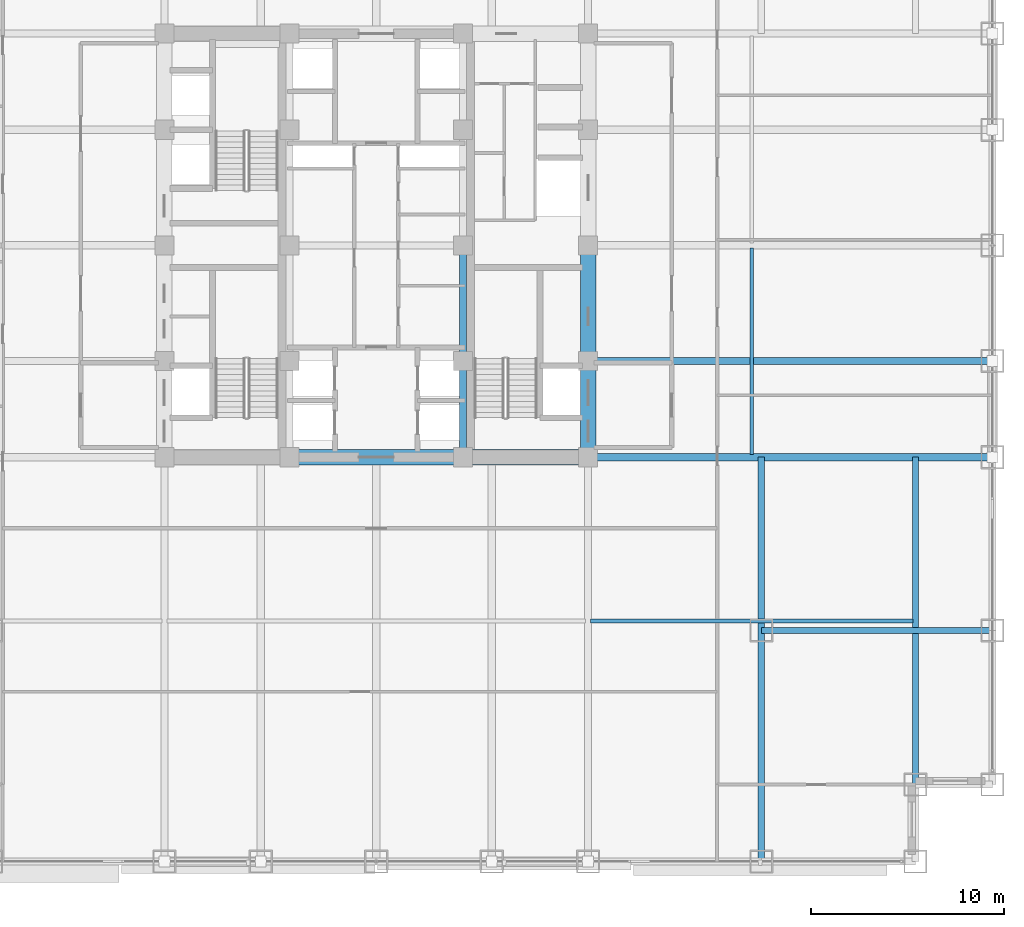
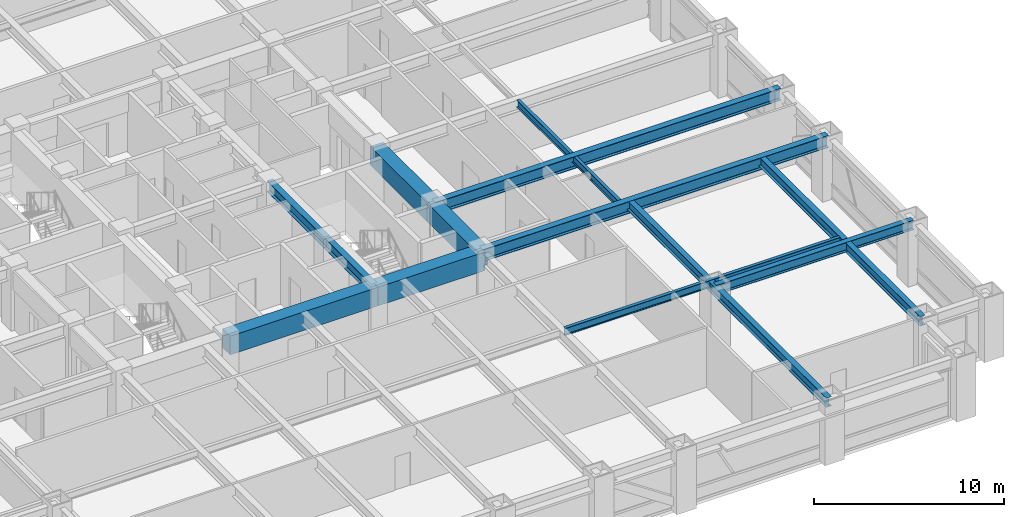
# One storey, part 7 of 32: 13 beams.
"""IFC4 building model written with IfcOpenShell, lengths in metres."""

from ifc_helpers import new_model, si_unit, direction, frame, origin, origin_2d, place, context, subcontext, project, spatial, rectangle, i_section, extrude, source, transform, mapped, material, material_profile, profile_set, type_object, element, save


model = new_model("IFC4")

# Units and contexts
model_context = context("Model", 3, precision=1e-05, world=origin(), true_north=direction((0.0, 1.0)))
body_context = subcontext(model_context, "Body", "Model", "MODEL_VIEW")
ifc_project = project(units=[si_unit("LENGTHUNIT", "METRE"), si_unit("AREAUNIT", "SQUARE_METRE"), si_unit("VOLUMEUNIT", "CUBIC_METRE"), si_unit("PLANEANGLEUNIT", "RADIAN"), si_unit("MASSUNIT", "GRAM", prefix="KILO")], contexts=[model_context])

# Site, building, storey
site_placement = place(None, origin())
site = spatial("IfcSite", under=ifc_project, at=site_placement, CompositionType="ELEMENT")
building_placement = place(site_placement, origin())
building = spatial("IfcBuilding", under=site, at=building_placement, Name="Khorayat Bourse Tower", CompositionType="ELEMENT")
storey_placement = place(building_placement, frame((0.0, 0.0, 95.5)))
storey = spatial("IfcBuildingStorey", under=building, at=storey_placement, Name="L21", CompositionType="ELEMENT", Elevation=95.5)

# Beams
ifc_material_1 = material(Name="Concrete C72/90", Category="concrete")
ifc_material_profile_1 = material_profile(ifc_material_1, rectangle(XDim=0.800048828125, YDim=1.199951171875, at=origin_2d()), Name="RC 800x1200")
ifc_profile_set_1 = profile_set([ifc_material_profile_1], Name="Concrete C72/90")
beam_type_1 = type_object("IfcBeamType", Name="BM-COUP-1200", PredefinedType="BEAM", material=ifc_profile_set_1)
shared_shape_1 = source(origin(), body_context, "Body", "SweptSolid", [
    extrude(rectangle(XDim=0.800048828125, YDim=1.199951171875, at=origin_2d()), origin(), (0.0, 0.0, 1.0), 5.0),
])
beam_1_placement = place(storey_placement, frame((11.0, -11.0, 3.239990234375), z_axis=(0.0, 1.0, 0.0), x_axis=(-1.0, 0.0, 0.0)))
element("IfcBeam", 1, at=beam_1_placement, inside=storey, type_object=beam_type_1, Name="L21 BM-COUP-1200 BM-L21-CRX-13", PredefinedType="BEAM", context=body_context, shape_type="MappedRepresentation", body=[
    mapped(shared_shape_1, transform((0.0, 0.0, 0.0), scale=1.0)),
])
shared_shape_2 = source(origin(), body_context, "Body", "SweptSolid", [
    extrude(rectangle(XDim=0.800048828125, YDim=1.199951171875, at=origin_2d()), origin(), (0.0, 0.0, 1.0), 6.0),
])
beam_2_placement = place(storey_placement, frame((11.0, -6.0, 3.239990234375), z_axis=(0.0, 1.0, 0.0), x_axis=(-1.0, 0.0, 0.0)))
element("IfcBeam", 2, at=beam_2_placement, inside=storey, type_object=beam_type_1, Name="L21 BM-COUP-1200 BM-L21-CRX-14", PredefinedType="BEAM", context=body_context, shape_type="MappedRepresentation", body=[
    mapped(shared_shape_2, transform((0.0, 0.0, 0.0), scale=1.0)),
])
ifc_material_2 = material(Name="Steel ASTM A992 Grade 50", Category="steel")
ifc_material_profile_2 = material_profile(ifc_material_2, i_section(OverallWidth=0.35498046875, OverallDepth=0.695068359375, WebThickness=0.015380859375, FlangeThickness=0.02490234375, FilletRadius=0.01806640625, at=origin_2d()), Name="W690X217")
ifc_profile_set_2 = profile_set([ifc_material_profile_2], Name="Steel ASTM A992 Grade 50")
beam_type_2 = type_object("IfcBeamType", Name="BM-GIRD-690", PredefinedType="BEAM", material=ifc_profile_set_2)
shared_shape_3 = source(origin(), body_context, "Body", "SweptSolid", [
    extrude(i_section(OverallWidth=0.35498046875, OverallDepth=0.695068359375, WebThickness=0.015380859375, FlangeThickness=0.02490234375, FilletRadius=0.01806640625, at=origin_2d()), origin(), (0.0, 0.0, 1.0), 5.0),
])
beam_3_placement = place(storey_placement, frame((4.5, -11.0, 3.492431640625), z_axis=(0.0, 1.0, 0.0), x_axis=(-1.0, 0.0, 0.0)))
element("IfcBeam", 3, at=beam_3_placement, inside=storey, type_object=beam_type_2, Name="L21 BM-GIRD-690 BM-L21-CRX-09", PredefinedType="BEAM", context=body_context, shape_type="MappedRepresentation", body=[
    mapped(shared_shape_3, transform((0.0, 0.0, 0.0), scale=1.0)),
])
shared_shape_4 = source(origin(), body_context, "Body", "SweptSolid", [
    extrude(i_section(OverallWidth=0.35498046875, OverallDepth=0.695068359375, WebThickness=0.015380859375, FlangeThickness=0.02490234375, FilletRadius=0.01806640625, at=origin_2d()), origin(), (0.0, 0.0, 1.0), 6.0),
])
beam_4_placement = place(storey_placement, frame((4.5, -6.0, 3.492431640625), z_axis=(0.0, 1.0, 0.0), x_axis=(-1.0, 0.0, 0.0)))
element("IfcBeam", 4, at=beam_4_placement, inside=storey, type_object=beam_type_2, Name="L21 BM-GIRD-690 BM-L21-CRX-10", PredefinedType="BEAM", context=body_context, shape_type="MappedRepresentation", body=[
    mapped(shared_shape_4, transform((0.0, 0.0, 0.0), scale=1.0)),
])
shared_shape_5 = source(origin(), body_context, "Body", "SweptSolid", [
    extrude(rectangle(XDim=0.800048828125, YDim=1.199951171875, at=origin_2d()), origin(), (0.0, 0.0, 1.0), 6.5),
])
beam_5_placement = place(storey_placement, frame((4.5, -11.0, 3.239990234375), z_axis=(1.0, 0.0, 0.0), x_axis=(0.0, 1.0, 0.0)))
element("IfcBeam", 5, at=beam_5_placement, inside=storey, type_object=beam_type_1, Name="L21 BM-COUP-1200 BM-L21-CRY-19", PredefinedType="BEAM", context=body_context, shape_type="MappedRepresentation", body=[
    mapped(shared_shape_5, transform((0.0, 0.0, 0.0), scale=1.0)),
])
shared_shape_6 = source(origin(), body_context, "Body", "SweptSolid", [
    extrude(rectangle(XDim=0.800048828125, YDim=1.199951171875, at=origin_2d()), origin(), (0.0, 0.0, 1.0), 9.0),
])
beam_6_placement = place(storey_placement, frame((-4.5, -11.0, 3.239990234375), z_axis=(1.0, 0.0, 0.0), x_axis=(0.0, 1.0, 0.0)))
element("IfcBeam", 6, at=beam_6_placement, inside=storey, type_object=beam_type_1, Name="L21 BM-COUP-1200 BM-L21-CRY-18", PredefinedType="BEAM", context=body_context, shape_type="MappedRepresentation", body=[
    mapped(shared_shape_6, transform((0.0, 0.0, 0.0), scale=1.0)),
])
ifc_material_profile_3 = material_profile(ifc_material_2, i_section(OverallWidth=0.324951171875, OverallDepth=0.615966796875, WebThickness=0.013916015625, FlangeThickness=0.021484375, FilletRadius=0.01611328125, at=origin_2d()), Name="W610X174")
ifc_profile_set_3 = profile_set([ifc_material_profile_3], Name="Steel ASTM A992 Grade 50")
beam_type_3 = type_object("IfcBeamType", Name="BM-GIRD-610", PredefinedType="BEAM", material=ifc_profile_set_3)
shared_shape_7 = source(origin(), body_context, "Body", "SweptSolid", [
    extrude(i_section(OverallWidth=0.324951171875, OverallDepth=0.615966796875, WebThickness=0.013916015625, FlangeThickness=0.021484375, FilletRadius=0.01611328125, at=origin_2d()), origin(), (0.0, 0.0, 1.0), 21.0),
])
beam_7_placement = place(storey_placement, frame((20.0, -32.0, 3.531982421875), z_axis=(0.0, 1.0, 0.0), x_axis=(-1.0, 0.0, 0.0)))
element("IfcBeam", 7, at=beam_7_placement, inside=storey, type_object=beam_type_3, Name="L21 BM-GIRD-610 BM-L21-CNRY-086", PredefinedType="BEAM", context=body_context, shape_type="MappedRepresentation", body=[
    mapped(shared_shape_7, transform((0.0, 0.0, 0.0), scale=1.0)),
])
shared_shape_8 = source(origin(), body_context, "Body", "SweptSolid", [
    extrude(i_section(OverallWidth=0.324951171875, OverallDepth=0.615966796875, WebThickness=0.013916015625, FlangeThickness=0.021484375, FilletRadius=0.01611328125, at=origin_2d()), origin(), (0.0, 0.0, 1.0), 12.0),
])
beam_8_placement = place(storey_placement, frame((20.0, -20.0, 3.531982421875), z_axis=(1.0, 0.0, 0.0), x_axis=(0.0, 1.0, 0.0)))
element("IfcBeam", 8, at=beam_8_placement, inside=storey, type_object=beam_type_3, Name="L21 BM-GIRD-610 BM-L21-CNRX-092", PredefinedType="BEAM", context=body_context, shape_type="MappedRepresentation", body=[
    mapped(shared_shape_8, transform((0.0, 0.0, 0.0), scale=1.0)),
])
ifc_material_profile_4 = material_profile(ifc_material_2, i_section(OverallWidth=0.194091796875, OverallDepth=0.468994140625, WebThickness=0.0126953125, FlangeThickness=0.0205078125, FilletRadius=0.012939453125, at=origin_2d()), Name="W460X106")
ifc_profile_set_4 = profile_set([ifc_material_profile_4], Name="Steel ASTM A992 Grade 50")
beam_type_4 = type_object("IfcBeamType", Name="BM-JOIST-460", PredefinedType="JOIST", material=ifc_profile_set_4)
shared_shape_9 = source(origin(), body_context, "Body", "SweptSolid", [
    extrude(i_section(OverallWidth=0.194091796875, OverallDepth=0.468994140625, WebThickness=0.0126953125, FlangeThickness=0.0205078125, FilletRadius=0.012939453125, at=origin_2d()), origin(), (0.0, 0.0, 1.0), 10.740234375),
])
beam_9_placement = place(storey_placement, frame((19.5, -10.8701171875, 3.60546875), z_axis=(0.0, 1.0, 0.0), x_axis=(-1.0, 0.0, 0.0)))
element("IfcBeam", 9, at=beam_9_placement, inside=storey, type_object=beam_type_4, Name="L21 BM-JOIST-460 BM-L21-JSTY-104", PredefinedType="JOIST", context=body_context, shape_type="MappedRepresentation", body=[
    mapped(shared_shape_9, transform((0.0, 0.0, 0.0), scale=1.0)),
])
ifc_material_profile_5 = material_profile(ifc_material_2, i_section(OverallWidth=0.381103515625, OverallDepth=0.77294921875, WebThickness=0.0166015625, FlangeThickness=0.027587890625, FilletRadius=0.01806640625, at=origin_2d()), Name="W760X257")
ifc_profile_set_5 = profile_set([ifc_material_profile_5], Name="Steel ASTM A992 Grade 50")
beam_type_5 = type_object("IfcBeamType", Name="BM-GIRD-760", PredefinedType="BEAM", material=ifc_profile_set_5)
shared_shape_10 = source(origin(), body_context, "Body", "SweptSolid", [
    extrude(i_section(OverallWidth=0.381103515625, OverallDepth=0.77294921875, WebThickness=0.0166015625, FlangeThickness=0.027587890625, FilletRadius=0.01806640625, at=origin_2d()), origin(), (0.0, 0.0, 1.0), 21.0),
])
for number, where, z_axis, x_axis, name in (
    (10, (11.0, -11.0, 3.45361328125), (1.0, 0.0, 0.0), (0.0, 1.0, 0.0), "L21 BM-GIRD-760 BM-L21-RADX-074"),
    (11, (11.0, -6.0, 3.45361328125), (1.0, 0.0, 0.0), (0.0, 1.0, 0.0), "L21 BM-GIRD-760 BM-L21-RADX-076"),
):
    element("IfcBeam", number, at=place(storey_placement, frame(where, z_axis=z_axis, x_axis=x_axis)), inside=storey, type_object=beam_type_5, Name=name, PredefinedType="BEAM", context=body_context, shape_type="MappedRepresentation", body=[
        mapped(shared_shape_10, transform((0.0, 0.0, 0.0), scale=1.0)),
    ])
shared_shape_11 = source(origin(), body_context, "Body", "SweptSolid", [
    extrude(i_section(OverallWidth=0.324951171875, OverallDepth=0.615966796875, WebThickness=0.013916015625, FlangeThickness=0.021484375, FilletRadius=0.01611328125, at=origin_2d()), origin(), (0.0, 0.0, 1.0), 17.0),
])
beam_10_placement = place(storey_placement, frame((28.0, -28.0, 3.531982421875), z_axis=(0.0, 1.0, 0.0), x_axis=(-1.0, 0.0, 0.0)))
element("IfcBeam", 12, at=beam_10_placement, inside=storey, type_object=beam_type_3, Name="L21 BM-GIRD-610 BM-L21-CNRY-090", PredefinedType="BEAM", context=body_context, shape_type="MappedRepresentation", body=[
    mapped(shared_shape_11, transform((0.0, 0.0, 0.0), scale=1.0)),
])
shared_shape_12 = source(origin(), body_context, "Body", "SweptSolid", [
    extrude(i_section(OverallWidth=0.194091796875, OverallDepth=0.468994140625, WebThickness=0.0126953125, FlangeThickness=0.0205078125, FilletRadius=0.012939453125, at=origin_2d()), origin(), (0.0, 0.0, 1.0), 16.740234375),
])
beam_11_placement = place(storey_placement, frame((11.1298828125, -19.5, 3.60546875), z_axis=(1.0, 0.0, 0.0), x_axis=(0.0, 1.0, 0.0)))
element("IfcBeam", 13, at=beam_11_placement, inside=storey, type_object=beam_type_4, Name="L21 BM-JOIST-460 BM-L21-JSTX-098", PredefinedType="JOIST", context=body_context, shape_type="MappedRepresentation", body=[
    mapped(shared_shape_12, transform((0.0, 0.0, 0.0), scale=1.0)),
])

save(model, "model.ifc")
